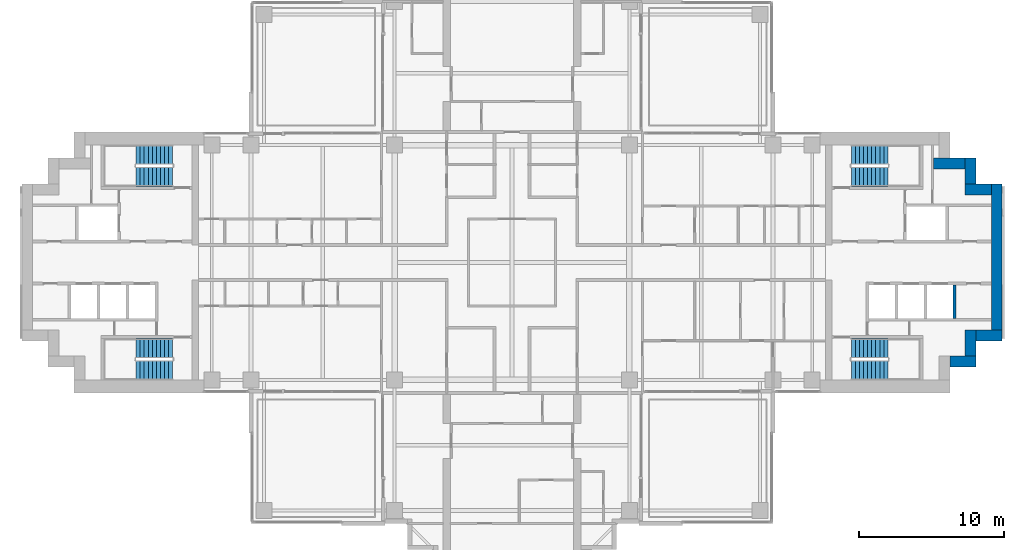
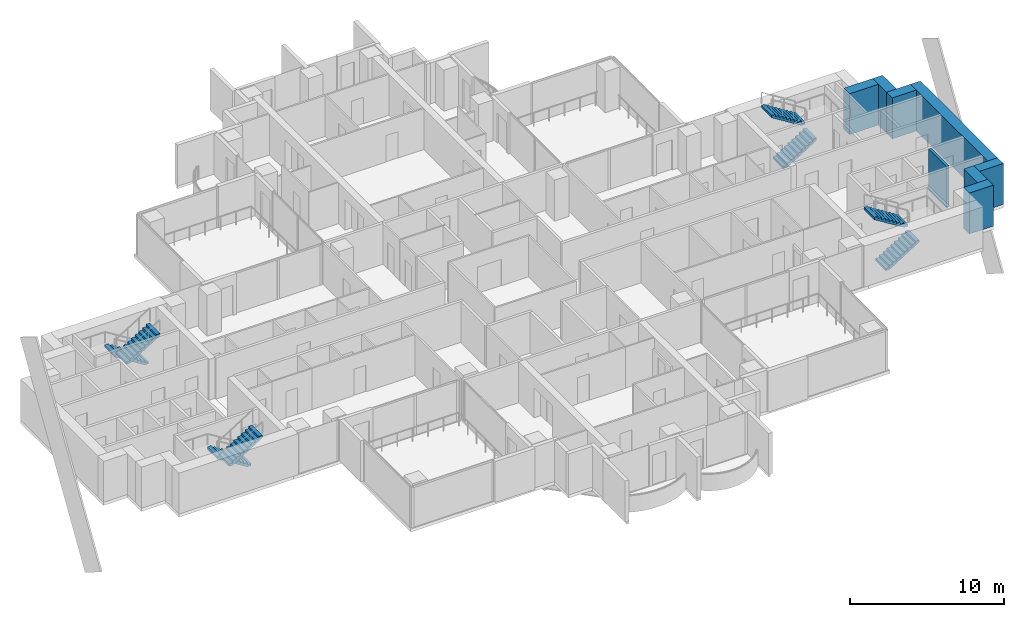
# One storey, part 15 of 19: 8 stair flights, 8 walls, 4 elements without a shape of their own.
"""IFC4 building model written with IfcOpenShell, lengths in metres."""

import ifcopenshell
import ifcopenshell.guid

model = None  # the IFC model being written
_history = None  # IfcOwnerHistory: only IFC2X3 demands one
_inside = {}  # id of a spatial element -> (the spatial element, [elements in it])
_under = {}  # id of a project, library or spatial element -> (it, [spatial elements below it])
_declared = {}  # id of a project -> (the project, [libraries it declares])
_typed = {}  # id of a type object -> (the type object, [elements of that type])
_made_of = {}  # id of a material, layer set ... -> (it, [elements and type objects made of it])


def new_model(schema):
    """Start an empty IFC model of exactly this schema.

    Asked for "IFC4X3", IfcOpenShell would pick the latest addendum, in which some entities
    have other attributes; the version numbers below select the first issue.
    IFC2X3 requires an IfcOwnerHistory on every rooted entity: one is made here for all.
    """
    global model, _history
    if schema == "IFC4X3":
        model = ifcopenshell.file(schema_version=(4, 3, 0, 0))
    else:
        model = ifcopenshell.file(schema=schema)
    _inside.clear()
    _under.clear()
    _declared.clear()
    _typed.clear()
    _made_of.clear()
    _history = None
    if model.schema == "IFC2X3":
        org = make("IfcOrganization", Name="unknown")
        user = make(
            "IfcPersonAndOrganization",
            ThePerson=make("IfcPerson", FamilyName="unknown"),
            TheOrganization=org,
        )
        app = make(
            "IfcApplication",
            ApplicationDeveloper=org,
            Version="unknown",
            ApplicationFullName="unknown",
            ApplicationIdentifier="unknown",
        )
        _history = make(
            "IfcOwnerHistory",
            OwningUser=user,
            OwningApplication=app,
            ChangeAction="ADDED",
            CreationDate=0,
        )
    return model


def make(cls, **values):
    """One entity of the class cls with the attributes given. An attribute that is None is left unset."""
    return model.create_entity(
        cls, **{name: value for name, value in values.items() if value is not None}
    )


def rooted(cls, **values):
    """An entity with a GlobalId (a new one), such as an element, a storey or a relation."""
    return make(cls, GlobalId=ifcopenshell.guid.new(), OwnerHistory=_history, **values)


def si_unit(unit_type, name, prefix=None):
    """IfcSIUnit, for example si_unit("LENGTHUNIT", "METRE", prefix="MILLI")."""
    return make("IfcSIUnit", UnitType=unit_type, Prefix=prefix, Name=name)


def assignment(units):
    """IfcUnitAssignment: the units of a project."""
    return None if units is None else make("IfcUnitAssignment", Units=units)


def point(xyz):
    """IfcCartesianPoint."""
    return None if xyz is None else make("IfcCartesianPoint", Coordinates=xyz)


def direction(xyz):
    """IfcDirection."""
    return None if xyz is None else make("IfcDirection", DirectionRatios=xyz)


def frame(location, z_axis=None, x_axis=None):
    """IfcAxis2Placement3D, a coordinate frame: its origin and axes. An axis left out is left unset."""
    return make(
        "IfcAxis2Placement3D",
        Location=point(location),
        Axis=direction(z_axis),
        RefDirection=direction(x_axis),
    )


def frame_2d(location, x_axis=None):
    """IfcAxis2Placement2D, a coordinate frame in the plane: its origin and x axis."""
    return make(
        "IfcAxis2Placement2D", Location=point(location), RefDirection=direction(x_axis)
    )


def origin():
    """The frame at (0, 0, 0) with its axes left unset."""
    return frame((0.0, 0.0, 0.0))


def place(relative_to, where):
    """IfcLocalPlacement: puts the frame where relative to a parent placement (None: the world)."""
    return make(
        "IfcLocalPlacement", PlacementRelTo=relative_to, RelativePlacement=where
    )


def context(
    kind, dimensions, precision=None, world=None, true_north=None, identifier=None
):
    """IfcGeometricRepresentationContext, for example the 3D "Model" context."""
    return make(
        "IfcGeometricRepresentationContext",
        ContextIdentifier=identifier,
        ContextType=kind,
        CoordinateSpaceDimension=dimensions,
        Precision=precision,
        WorldCoordinateSystem=world,
        TrueNorth=true_north,
    )


def subcontext(parent, identifier, kind, view, scale=None):
    """IfcGeometricRepresentationSubContext, for example "Body" below "Model"."""
    return make(
        "IfcGeometricRepresentationSubContext",
        ContextIdentifier=identifier,
        ContextType=kind,
        ParentContext=parent,
        TargetScale=scale,
        TargetView=view,
    )


def project(units=None, contexts=None):
    """IfcProject with its units and contexts."""
    return rooted(
        "IfcProject",
        Name="project",
        RepresentationContexts=contexts,
        UnitsInContext=assignment(units),
    )


def spatial(cls, under=None, at=None, **own):
    """A site, building, storey or space (cls), placed at a placement, below another one or the project."""
    s = rooted(cls, ObjectPlacement=at, **own)
    if under is not None:
        _under.setdefault(under.id(), (under, []))[1].append(s)
    return s


def polyline(points):
    """IfcPolyline through the points."""
    return make("IfcPolyline", Points=[point(p) for p in points])


def profile(cls, at=None, kind="AREA", **sizes):
    """A parametric profile (cls). Its sizes go by their IFC names, for example OverallWidth=200.0."""
    return make(cls, ProfileType=kind, Position=at, **sizes)


def rectangle(**sizes):
    """IfcRectangleProfileDef."""
    return profile("IfcRectangleProfileDef", **sizes)


def outline(outer, holes=None, kind="AREA"):
    """IfcArbitraryClosedProfileDef: a profile drawn as a closed curve; with holes, ...WithVoids."""
    if holes is None:
        return make("IfcArbitraryClosedProfileDef", ProfileType=kind, OuterCurve=outer)
    return make(
        "IfcArbitraryProfileDefWithVoids",
        ProfileType=kind,
        OuterCurve=outer,
        InnerCurves=holes,
    )


def extrude(swept, where, along, depth):
    """IfcExtrudedAreaSolid: the profile swept, set in the frame where, extruded along a direction by depth."""
    return make(
        "IfcExtrudedAreaSolid",
        SweptArea=swept,
        Position=where,
        ExtrudedDirection=direction(along),
        Depth=depth,
    )


def shape(context_of_items, identifier, shape_type, items):
    """IfcShapeRepresentation: the items that make up one representation, for example the "Body"."""
    return make(
        "IfcShapeRepresentation",
        ContextOfItems=context_of_items,
        RepresentationIdentifier=identifier,
        RepresentationType=shape_type,
        Items=items,
    )


def material(Name=None, Category=None):
    """IfcMaterial."""
    return make("IfcMaterial", Name=Name, Category=Category)


def layer(
    of_material, thickness, ventilated=None, Name=None, Category=None, Priority=None
):
    """IfcMaterialLayer: one layer of a wall or slab, of a material (None: an air gap)."""
    return make(
        "IfcMaterialLayer",
        Material=of_material,
        LayerThickness=thickness,
        IsVentilated=ventilated,
        Name=Name,
        Category=Category,
        Priority=Priority,
    )


def layer_set(layers, Name=None):
    """IfcMaterialLayerSet."""
    return make("IfcMaterialLayerSet", MaterialLayers=layers, LayerSetName=Name)


def made_of(thing, what):
    """Note that an element or type object is made of a material, layer set ...; save() writes the relation."""
    if what is not None:
        _made_of.setdefault(what.id(), (what, []))[1].append(thing)
    return thing


def type_object(cls, material=None, **own):
    """A type object (cls), such as IfcWallType, which elements share."""
    return made_of(rooted(cls, **own), material)


def element(
    cls,
    number,
    at=None,
    inside=None,
    cuts=None,
    type_object=None,
    material=None,
    context=None,
    identifier="Body",
    shape_type=None,
    held_by="IfcProductDefinitionShape",
    body=None,
    shapes=None,
    **own,
):
    """One element of the class cls, such as IfcWall. Its Tag is "e" and its number.

    at: its placement. inside: the storey or other place that contains it. cuts: it is an
    opening in that element (IfcRelVoidsElement). A single representation is given by context,
    identifier, shape_type and body (its items); several are given by shapes. held_by: the class
    of the entity that holds the representations. save() writes the other relations.
    """
    e = rooted(cls, Tag="e%d" % number, ObjectPlacement=at, **own)
    if body is not None:
        shapes = [shape(context, identifier, shape_type, body)]
    if shapes is not None:
        e.Representation = make(held_by, Representations=shapes)
    if inside is not None:
        _inside.setdefault(inside.id(), (inside, []))[1].append(e)
    if cuts is not None:
        rooted(
            "IfcRelVoidsElement", RelatingBuildingElement=cuts, RelatedOpeningElement=e
        )
    if type_object is not None:
        _typed.setdefault(type_object.id(), (type_object, []))[1].append(e)
    return made_of(e, material)


def aggregate(whole, parts):
    """IfcRelAggregates: a whole, such as a stair, and the parts it consists of."""
    return rooted("IfcRelAggregates", RelatingObject=whole, RelatedObjects=parts)


def save(model, path):
    """Write the relations noted so far, then the file.

    IfcRelAggregates (storeys below a building ...), IfcRelContainedInSpatialStructure (elements
    in a storey), IfcRelDefinesByType, IfcRelAssociatesMaterial and IfcRelDeclares: one each for
    every whole, place, type object, material and project.
    """
    for whole, parts in _under.values():
        aggregate(whole, parts)
    for where, things in _inside.values():
        rooted(
            "IfcRelContainedInSpatialStructure",
            RelatedElements=things,
            RelatingStructure=where,
        )
    for kind, things in _typed.values():
        rooted("IfcRelDefinesByType", RelatedObjects=things, RelatingType=kind)
    for what, things in _made_of.values():
        rooted("IfcRelAssociatesMaterial", RelatedObjects=things, RelatingMaterial=what)
    for by, libraries in _declared.values():
        rooted("IfcRelDeclares", RelatingContext=by, RelatedDefinitions=libraries)
    model.write(path)


model = new_model("IFC4")

# Units and contexts
model_context = context("Model", 3, precision=1e-05, world=origin(), true_north=direction((0.0, 1.0)))
body_context = subcontext(model_context, "Body", "Model", "MODEL_VIEW")
ifc_project = project(units=[si_unit("LENGTHUNIT", "METRE"), si_unit("AREAUNIT", "SQUARE_METRE"), si_unit("VOLUMEUNIT", "CUBIC_METRE"), si_unit("PLANEANGLEUNIT", "RADIAN"), si_unit("MASSUNIT", "GRAM", prefix="KILO")], contexts=[model_context])

# Site, building, storey
site_placement = place(None, origin())
site = spatial("IfcSite", under=ifc_project, at=site_placement, CompositionType="ELEMENT")
building_placement = place(site_placement, origin())
building = spatial("IfcBuilding", under=site, at=building_placement, Name="Perihelion Cross Residences", CompositionType="ELEMENT")
storey_placement = place(building_placement, frame((0.0, 0.0, 109.39990234375)))
storey = spatial("IfcBuildingStorey", under=building, at=storey_placement, Name="L25", CompositionType="ELEMENT", Elevation=109.39990234375)

# Walls
ifc_material_1 = material(Name="Concrete C60/75", Category="concrete")
ifc_layer_1 = layer(ifc_material_1, 0.75)
ifc_layer_set_1 = layer_set([ifc_layer_1], Name="Core wall, outer 750")
wall_type_1 = type_object("IfcWallType", Name="Core wall, outer 750", PredefinedType="SHEAR", material=ifc_layer_set_1)
for number, where, z_axis, x_axis, name in (
    (1, (30.199951171875, -6.824951171875, 0.0), (0.0, 0.0, 1.0), (1.0, 0.0, 0.0), "East core core wall, outer"),
    (2, (31.625, -6.449951171875, 0.0), (0.0, 0.0, 1.0), (0.0, 1.0, 0.0), "East core core wall, outer"),
    (3, (32.0, -5.02490234375, 0.0), (0.0, 0.0, 1.0), (1.0, 0.0, 0.0), "East core core wall, outer"),
):
    element("IfcWall", number, at=place(storey_placement, frame(where, z_axis=z_axis, x_axis=x_axis)), inside=storey, type_object=wall_type_1, Name=name, PredefinedType="SHEAR", context=body_context, shape_type="SweptSolid", body=[
        extrude(rectangle(XDim=1.800048828125, YDim=0.75, at=frame_2d((0.89990234375, 0.0))), origin(), (0.0, 0.0, 1.0), 3.25),
    ])
wall_1_placement = place(storey_placement, frame((33.425048828125, -4.64990234375, 0.0), z_axis=(0.0, 0.0, 1.0), x_axis=(0.0, 1.0, 0.0)))
element("IfcWall", 4, at=wall_1_placement, inside=storey, type_object=wall_type_1, Name="East core core wall, outer", PredefinedType="SHEAR", context=body_context, shape_type="SweptSolid", body=[
    extrude(rectangle(XDim=10.0498046875, YDim=0.75, at=frame_2d((5.02490234375, 0.0))), origin(), (0.0, 0.0, 1.0), 3.25),
])
for number, where, z_axis, x_axis, name in (
    (5, (31.25, 5.02490234375, 0.0), (0.0, 0.0, 1.0), (1.0, 0.0, 0.0), "East core core wall, outer"),
    (6, (31.625, 5.39990234375, 0.0), (0.0, 0.0, 1.0), (0.0, 1.0, 0.0), "East core core wall, outer"),
):
    element("IfcWall", number, at=place(storey_placement, frame(where, z_axis=z_axis, x_axis=x_axis)), inside=storey, type_object=wall_type_1, Name=name, PredefinedType="SHEAR", context=body_context, shape_type="SweptSolid", body=[
        extrude(rectangle(XDim=1.800048828125, YDim=0.75, at=frame_2d((0.89990234375, 0.0))), origin(), (0.0, 0.0, 1.0), 3.25),
    ])
wall_2_placement = place(storey_placement, frame((29.074951171875, 6.824951171875, 0.0), z_axis=(0.0, 0.0, 1.0), x_axis=(1.0, 0.0, 0.0)))
element("IfcWall", 7, at=wall_2_placement, inside=storey, type_object=wall_type_1, Name="East core core wall, outer", PredefinedType="SHEAR", context=body_context, shape_type="SweptSolid", body=[
    extrude(rectangle(XDim=2.175048828125, YDim=0.75, at=frame_2d((1.08740234375, 0.0))), origin(), (0.0, 0.0, 1.0), 3.25),
])
ifc_material_2 = material(Name="Concrete C50/60", Category="concrete")
ifc_layer_2 = layer(ifc_material_2, 0.199951171875)
ifc_layer_set_2 = layer_set([ifc_layer_2], Name="Shaft wall 200")
wall_type_2 = type_object("IfcWallType", Name="Shaft wall 200", PredefinedType="SOLIDWALL", material=ifc_layer_set_2)
wall_3_placement = place(storey_placement, frame((30.5, -3.85009765625, 0.0), z_axis=(0.0, 0.0, 1.0), x_axis=(0.0, 1.0, 0.0)))
element("IfcWall", 8, at=wall_3_placement, inside=storey, type_object=wall_type_2, Name="East core shaft wall", PredefinedType="SOLIDWALL", context=body_context, shape_type="SweptSolid", body=[
    extrude(rectangle(XDim=2.300048828125, YDim=0.199951171875, at=frame_2d((1.14990234375, 0.0))), origin(), (0.0, 0.0, 1.0), 3.25),
])

# Stair, stair flights
ifc_material_3 = material(Name="Concrete C40/50", Category="concrete")
stair_type = type_object("IfcStairType", Name="Exit stair, half-turn", PredefinedType="HALF_TURN_STAIR", material=ifc_material_3)
stair_1_placement = place(storey_placement, origin())
stair_1 = element("IfcStair", 9, at=stair_1_placement, inside=storey, type_object=stair_type, Name="L25 East core exit stair 1", PredefinedType="HALF_TURN_STAIR")
ifc_material_4 = material(Name="Concrete C40/50", Category="concrete")
stair_flight_type = type_object("IfcStairFlightType", Name="Exit stair flight", PredefinedType="STRAIGHT", material=ifc_material_4)
stair_flight_1_placement = place(storey_placement, frame((23.39990234375, 5.925048828125, 0.0), z_axis=(0.0, 0.0, 1.0), x_axis=(1.0, 0.0, 0.0)))
stair_flight_1 = element("IfcStairFlight", 10, at=stair_flight_1_placement, type_object=stair_flight_type, Name="ST-E1 flight 1", NumberOfRisers=10, NumberOfTreads=9, PredefinedType="STRAIGHT", RiserHeight=0.175, TreadLength=0.28, context=body_context, shape_type="SweptSolid", body=[
    extrude(outline(polyline([(0.0, 0.0), (0.0, 0.175048828125), (0.280029296875, 0.175048828125), (0.280029296875, 0.35009765625), (0.56005859375, 0.35009765625), (0.56005859375, 0.52490234375), (0.840087890625, 0.52490234375), (0.840087890625, 0.699951171875), (1.1201171875, 0.699951171875), (1.1201171875, 0.875), (1.39990234375, 0.875), (1.39990234375, 1.050048828125), (1.679931640625, 1.050048828125), (1.679931640625, 1.22509765625), (1.9599609375, 1.22509765625), (1.9599609375, 1.39990234375), (2.239990234375, 1.39990234375), (2.239990234375, 1.574951171875), (2.52001953125, 1.574951171875), (2.52001953125, 1.75), (2.52001953125, 1.398193359375), (0.28271484375, 0.0), (0.0, 0.0)])), frame((0.0, 0.675048828125, 0.0), z_axis=(0.0, -1.0, 0.0), x_axis=(1.0, 0.0, 0.0)), (0.0, 0.0, 1.0), 1.35009765625),
])
stair_flight_2_placement = place(storey_placement, frame((25.919921875, 7.425048828125, 1.75), z_axis=(0.0, 0.0, 1.0), x_axis=(-1.0, 0.0, 0.0)))
stair_flight_2 = element("IfcStairFlight", 11, at=stair_flight_2_placement, type_object=stair_flight_type, Name="ST-E1 flight 2", NumberOfRisers=10, NumberOfTreads=9, PredefinedType="STRAIGHT", RiserHeight=0.175, TreadLength=0.28, context=body_context, shape_type="SweptSolid", body=[
    extrude(outline(polyline([(0.0, 0.0), (0.0, 0.175048828125), (0.280029296875, 0.175048828125), (0.280029296875, 0.35009765625), (0.56005859375, 0.35009765625), (0.56005859375, 0.52490234375), (0.840087890625, 0.52490234375), (0.840087890625, 0.699951171875), (1.1201171875, 0.699951171875), (1.1201171875, 0.875), (1.39990234375, 0.875), (1.39990234375, 1.050048828125), (1.679931640625, 1.050048828125), (1.679931640625, 1.22509765625), (1.9599609375, 1.22509765625), (1.9599609375, 1.39990234375), (2.239990234375, 1.39990234375), (2.239990234375, 1.574951171875), (2.52001953125, 1.574951171875), (2.52001953125, 1.75), (2.52001953125, 1.398193359375), (0.28271484375, 0.0), (0.0, 0.0)])), frame((0.0, 0.675048828125, 0.0), z_axis=(0.0, -1.0, 0.0), x_axis=(1.0, 0.0, 0.0)), (0.0, 0.0, 1.0), 1.35009765625),
])
aggregate(stair_1, [stair_flight_1, stair_flight_2])

stair_2_placement = place(storey_placement, origin())
stair_2 = element("IfcStair", 12, at=stair_2_placement, inside=storey, type_object=stair_type, Name="L25 East core exit stair 2", PredefinedType="HALF_TURN_STAIR")
stair_flight_3_placement = place(storey_placement, frame((23.39990234375, -7.425048828125, 0.0), z_axis=(0.0, 0.0, 1.0), x_axis=(1.0, 0.0, 0.0)))
stair_flight_3 = element("IfcStairFlight", 13, at=stair_flight_3_placement, type_object=stair_flight_type, Name="ST-E2 flight 1", NumberOfRisers=10, NumberOfTreads=9, PredefinedType="STRAIGHT", RiserHeight=0.175, TreadLength=0.28, context=body_context, shape_type="SweptSolid", body=[
    extrude(outline(polyline([(0.0, 0.0), (0.0, 0.175048828125), (0.280029296875, 0.175048828125), (0.280029296875, 0.35009765625), (0.56005859375, 0.35009765625), (0.56005859375, 0.52490234375), (0.840087890625, 0.52490234375), (0.840087890625, 0.699951171875), (1.1201171875, 0.699951171875), (1.1201171875, 0.875), (1.39990234375, 0.875), (1.39990234375, 1.050048828125), (1.679931640625, 1.050048828125), (1.679931640625, 1.22509765625), (1.9599609375, 1.22509765625), (1.9599609375, 1.39990234375), (2.239990234375, 1.39990234375), (2.239990234375, 1.574951171875), (2.52001953125, 1.574951171875), (2.52001953125, 1.75), (2.52001953125, 1.398193359375), (0.28271484375, 0.0), (0.0, 0.0)])), frame((0.0, 0.675048828125, 0.0), z_axis=(0.0, -1.0, 0.0), x_axis=(1.0, 0.0, 0.0)), (0.0, 0.0, 1.0), 1.35009765625),
])
stair_flight_4_placement = place(storey_placement, frame((25.919921875, -5.925048828125, 1.75), z_axis=(0.0, 0.0, 1.0), x_axis=(-1.0, 0.0, 0.0)))
stair_flight_4 = element("IfcStairFlight", 14, at=stair_flight_4_placement, type_object=stair_flight_type, Name="ST-E2 flight 2", NumberOfRisers=10, NumberOfTreads=9, PredefinedType="STRAIGHT", RiserHeight=0.175, TreadLength=0.28, context=body_context, shape_type="SweptSolid", body=[
    extrude(outline(polyline([(0.0, 0.0), (0.0, 0.175048828125), (0.280029296875, 0.175048828125), (0.280029296875, 0.35009765625), (0.56005859375, 0.35009765625), (0.56005859375, 0.52490234375), (0.840087890625, 0.52490234375), (0.840087890625, 0.699951171875), (1.1201171875, 0.699951171875), (1.1201171875, 0.875), (1.39990234375, 0.875), (1.39990234375, 1.050048828125), (1.679931640625, 1.050048828125), (1.679931640625, 1.22509765625), (1.9599609375, 1.22509765625), (1.9599609375, 1.39990234375), (2.239990234375, 1.39990234375), (2.239990234375, 1.574951171875), (2.52001953125, 1.574951171875), (2.52001953125, 1.75), (2.52001953125, 1.398193359375), (0.28271484375, 0.0), (0.0, 0.0)])), frame((0.0, 0.675048828125, 0.0), z_axis=(0.0, -1.0, 0.0), x_axis=(1.0, 0.0, 0.0)), (0.0, 0.0, 1.0), 1.35009765625),
])
aggregate(stair_2, [stair_flight_3, stair_flight_4])

stair_3_placement = place(storey_placement, origin())
stair_3 = element("IfcStair", 15, at=stair_3_placement, inside=storey, type_object=stair_type, Name="L25 West core exit stair 1", PredefinedType="HALF_TURN_STAIR")
stair_flight_5_placement = place(storey_placement, frame((-23.39990234375, 7.425048828125, 0.0), z_axis=(0.0, 0.0, 1.0), x_axis=(-1.0, 0.0, 0.0)))
stair_flight_5 = element("IfcStairFlight", 16, at=stair_flight_5_placement, type_object=stair_flight_type, Name="ST-W1 flight 1", NumberOfRisers=10, NumberOfTreads=9, PredefinedType="STRAIGHT", RiserHeight=0.175, TreadLength=0.28, context=body_context, shape_type="SweptSolid", body=[
    extrude(outline(polyline([(0.0, 0.0), (0.0, 0.175048828125), (0.280029296875, 0.175048828125), (0.280029296875, 0.35009765625), (0.56005859375, 0.35009765625), (0.56005859375, 0.52490234375), (0.840087890625, 0.52490234375), (0.840087890625, 0.699951171875), (1.1201171875, 0.699951171875), (1.1201171875, 0.875), (1.39990234375, 0.875), (1.39990234375, 1.050048828125), (1.679931640625, 1.050048828125), (1.679931640625, 1.22509765625), (1.9599609375, 1.22509765625), (1.9599609375, 1.39990234375), (2.239990234375, 1.39990234375), (2.239990234375, 1.574951171875), (2.52001953125, 1.574951171875), (2.52001953125, 1.75), (2.52001953125, 1.398193359375), (0.28271484375, 0.0), (0.0, 0.0)])), frame((0.0, 0.675048828125, 0.0), z_axis=(0.0, -1.0, 0.0), x_axis=(1.0, 0.0, 0.0)), (0.0, 0.0, 1.0), 1.35009765625),
])
stair_flight_6_placement = place(storey_placement, frame((-25.919921875, 5.925048828125, 1.75), z_axis=(0.0, 0.0, 1.0), x_axis=(1.0, 0.0, 0.0)))
stair_flight_6 = element("IfcStairFlight", 17, at=stair_flight_6_placement, type_object=stair_flight_type, Name="ST-W1 flight 2", NumberOfRisers=10, NumberOfTreads=9, PredefinedType="STRAIGHT", RiserHeight=0.175, TreadLength=0.28, context=body_context, shape_type="SweptSolid", body=[
    extrude(outline(polyline([(0.0, 0.0), (0.0, 0.175048828125), (0.280029296875, 0.175048828125), (0.280029296875, 0.35009765625), (0.56005859375, 0.35009765625), (0.56005859375, 0.52490234375), (0.840087890625, 0.52490234375), (0.840087890625, 0.699951171875), (1.1201171875, 0.699951171875), (1.1201171875, 0.875), (1.39990234375, 0.875), (1.39990234375, 1.050048828125), (1.679931640625, 1.050048828125), (1.679931640625, 1.22509765625), (1.9599609375, 1.22509765625), (1.9599609375, 1.39990234375), (2.239990234375, 1.39990234375), (2.239990234375, 1.574951171875), (2.52001953125, 1.574951171875), (2.52001953125, 1.75), (2.52001953125, 1.398193359375), (0.28271484375, 0.0), (0.0, 0.0)])), frame((0.0, 0.675048828125, 0.0), z_axis=(0.0, -1.0, 0.0), x_axis=(1.0, 0.0, 0.0)), (0.0, 0.0, 1.0), 1.35009765625),
])
aggregate(stair_3, [stair_flight_5, stair_flight_6])

stair_4_placement = place(storey_placement, origin())
stair_4 = element("IfcStair", 18, at=stair_4_placement, inside=storey, type_object=stair_type, Name="L25 West core exit stair 2", PredefinedType="HALF_TURN_STAIR")
stair_flight_7_placement = place(storey_placement, frame((-23.39990234375, -5.925048828125, 0.0), z_axis=(0.0, 0.0, 1.0), x_axis=(-1.0, 0.0, 0.0)))
stair_flight_7 = element("IfcStairFlight", 19, at=stair_flight_7_placement, type_object=stair_flight_type, Name="ST-W2 flight 1", NumberOfRisers=10, NumberOfTreads=9, PredefinedType="STRAIGHT", RiserHeight=0.175, TreadLength=0.28, context=body_context, shape_type="SweptSolid", body=[
    extrude(outline(polyline([(0.0, 0.0), (0.0, 0.175048828125), (0.280029296875, 0.175048828125), (0.280029296875, 0.35009765625), (0.56005859375, 0.35009765625), (0.56005859375, 0.52490234375), (0.840087890625, 0.52490234375), (0.840087890625, 0.699951171875), (1.1201171875, 0.699951171875), (1.1201171875, 0.875), (1.39990234375, 0.875), (1.39990234375, 1.050048828125), (1.679931640625, 1.050048828125), (1.679931640625, 1.22509765625), (1.9599609375, 1.22509765625), (1.9599609375, 1.39990234375), (2.239990234375, 1.39990234375), (2.239990234375, 1.574951171875), (2.52001953125, 1.574951171875), (2.52001953125, 1.75), (2.52001953125, 1.398193359375), (0.28271484375, 0.0), (0.0, 0.0)])), frame((0.0, 0.675048828125, 0.0), z_axis=(0.0, -1.0, 0.0), x_axis=(1.0, 0.0, 0.0)), (0.0, 0.0, 1.0), 1.35009765625),
])
stair_flight_8_placement = place(storey_placement, frame((-25.919921875, -7.425048828125, 1.75), z_axis=(0.0, 0.0, 1.0), x_axis=(1.0, 0.0, 0.0)))
stair_flight_8 = element("IfcStairFlight", 20, at=stair_flight_8_placement, type_object=stair_flight_type, Name="ST-W2 flight 2", NumberOfRisers=10, NumberOfTreads=9, PredefinedType="STRAIGHT", RiserHeight=0.175, TreadLength=0.28, context=body_context, shape_type="SweptSolid", body=[
    extrude(outline(polyline([(0.0, 0.0), (0.0, 0.175048828125), (0.280029296875, 0.175048828125), (0.280029296875, 0.35009765625), (0.56005859375, 0.35009765625), (0.56005859375, 0.52490234375), (0.840087890625, 0.52490234375), (0.840087890625, 0.699951171875), (1.1201171875, 0.699951171875), (1.1201171875, 0.875), (1.39990234375, 0.875), (1.39990234375, 1.050048828125), (1.679931640625, 1.050048828125), (1.679931640625, 1.22509765625), (1.9599609375, 1.22509765625), (1.9599609375, 1.39990234375), (2.239990234375, 1.39990234375), (2.239990234375, 1.574951171875), (2.52001953125, 1.574951171875), (2.52001953125, 1.75), (2.52001953125, 1.398193359375), (0.28271484375, 0.0), (0.0, 0.0)])), frame((0.0, 0.675048828125, 0.0), z_axis=(0.0, -1.0, 0.0), x_axis=(1.0, 0.0, 0.0)), (0.0, 0.0, 1.0), 1.35009765625),
])
aggregate(stair_4, [stair_flight_7, stair_flight_8])

save(model, "model.ifc")
